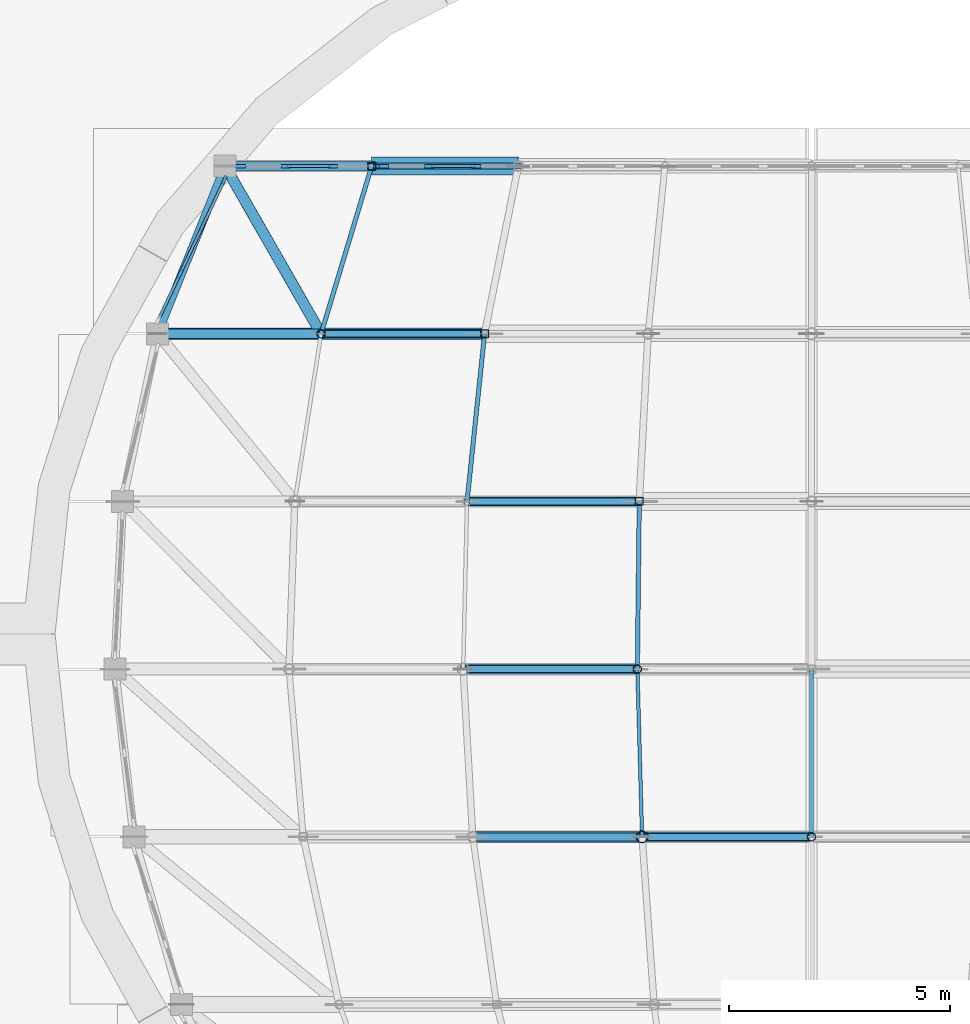
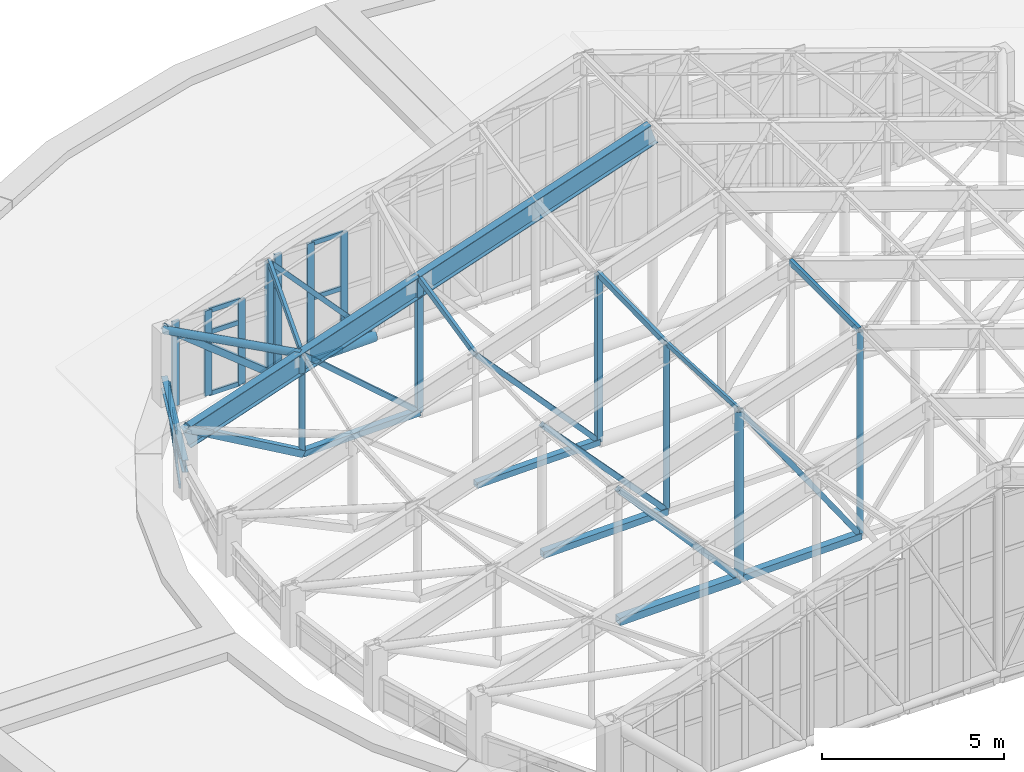
# One storey, part 14 of 105: 49 members, 2 beams, 3 elements without a shape of their own.
"""IFC4 building model written with IfcOpenShell, lengths in metres."""

from ifc_helpers import new_model, si_unit, direction, frame, origin, origin_2d, place, context, subcontext, project, spatial, rectangle, hollow_rectangle, hollow_circle, i_section, extrude, material, material_profile, profile_set, type_object, element, aggregate, save


model = new_model("IFC4")

# Units and contexts
model_context = context("Model", 3, precision=1e-05, world=origin(), true_north=direction((0.0, 1.0)))
body_context = subcontext(model_context, "Body", "Model", "MODEL_VIEW")
ifc_project = project(units=[si_unit("LENGTHUNIT", "METRE"), si_unit("AREAUNIT", "SQUARE_METRE"), si_unit("VOLUMEUNIT", "CUBIC_METRE"), si_unit("PLANEANGLEUNIT", "RADIAN"), si_unit("MASSUNIT", "GRAM", prefix="KILO")], contexts=[model_context])

# Site, building, storey
site_placement = place(None, origin())
site = spatial("IfcSite", under=ifc_project, at=site_placement, CompositionType="ELEMENT")
building_placement = place(site_placement, origin())
building = spatial("IfcBuilding", under=site, at=building_placement, Name="Corveleigh Park Community Centre", CompositionType="ELEMENT")
storey_placement = place(building_placement, frame((0.0, 0.0, 8.699951171875)))
storey = spatial("IfcBuildingStorey", under=building, at=storey_placement, Name="L02", CompositionType="ELEMENT", Elevation=8.699951171875)

# Beams
ifc_material_1 = material(Name="Steel S355", Category="steel")
ifc_material_profile_1 = material_profile(ifc_material_1, i_section(OverallWidth=0.1787109375, OverallDepth=0.409423828125, WebThickness=0.0087890625, FlangeThickness=0.014404296875, at=origin_2d()), Name="UKB 406x178x67", Category="steel")
ifc_profile_set_1 = profile_set([ifc_material_profile_1], Name="Steel S355")
beam_type_1 = type_object("IfcBeamType", Name="BM-STL-UKB406x67", PredefinedType="BEAM", material=ifc_profile_set_1)
beam_1_placement = place(storey_placement, frame((16.182861328125, 34.404541015625, 0.915283203125), z_axis=(0.373254520888, 0.927728981242, 0.0), x_axis=(-0.927728981242, 0.373254520888, 0.0)))
element("IfcBeam", 1, at=beam_1_placement, inside=storey, type_object=beam_type_1, Name="V1 West Eave Tie Beam", PredefinedType="BEAM", context=body_context, shape_type="SweptSolid", body=[
    extrude(i_section(OverallWidth=0.1787109375, OverallDepth=0.409423828125, WebThickness=0.0087890625, FlangeThickness=0.014404296875, at=origin_2d()), origin(), (0.0, 0.0, 1.0), 4.086181640625),
])
ifc_material_profile_2 = material_profile(ifc_material_1, i_section(OverallWidth=0.253662109375, OverallDepth=0.68359375, WebThickness=0.012451171875, FlangeThickness=0.01904296875, at=origin_2d()), Name="UKB 686x254x140", Category="steel")
ifc_profile_set_2 = profile_set([ifc_material_profile_2], Name="Steel S355")
beam_type_2 = type_object("IfcBeamType", Name="BM-STL-UKB686x140", PredefinedType="BEAM", material=ifc_profile_set_2)
beam_2_placement = place(storey_placement, frame((16.180908203125, 34.39990234375, 1.888427734375), z_axis=(0.946294957787, 0.0, 0.323304582194), x_axis=(0.0, 1.0, 0.0)))
element("IfcBeam", 2, at=beam_2_placement, inside=storey, type_object=beam_type_2, Name="V1 Portal Rafter W6", PredefinedType="BEAM", context=body_context, shape_type="SweptSolid", body=[
    extrude(i_section(OverallWidth=0.253662109375, OverallDepth=0.68359375, WebThickness=0.012451171875, FlangeThickness=0.01904296875, at=origin_2d()), origin(), (0.0, 0.0, 1.0), 15.66015625),
])

# Curtain wall, members
ifc_material_2 = material(Name="Anodised aluminium 6063-T6", Category="aluminium")
curtain_wall_type_1 = type_object("IfcCurtainWallType", Name="CW-SYS-V1-L00", PredefinedType="NOTDEFINED", material=ifc_material_2)
curtain_wall_1_placement = place(storey_placement, origin())
curtain_wall_1 = element("IfcCurtainWall", 3, at=curtain_wall_1_placement, inside=storey, type_object=curtain_wall_type_1, Name="Main Hall West Eave Clerestory 6", PredefinedType="NOTDEFINED")
ifc_material_profile_3 = material_profile(ifc_material_2, rectangle(XDim=0.070068359375, YDim=0.199951171875, at=origin_2d()), Name="ALU-M70x200", Category="aluminium")
ifc_profile_set_3 = profile_set([ifc_material_profile_3], Name="Anodised aluminium 6063-T6")
member_type_1 = type_object("IfcMemberType", Name="CWM-70x200", PredefinedType="MULLION", material=ifc_profile_set_3)
member_1_placement = place(storey_placement, frame((16.690673828125, 35.760009765625, 0.0), z_axis=(0.0, 0.0, 1.0), x_axis=(-0.904356392626, 0.426778063068, 0.0)))
member_1 = element("IfcMember", 4, at=member_1_placement, type_object=member_type_1, Name="CW01 mullion 2", PredefinedType="MULLION", context=body_context, shape_type="SweptSolid", body=[
    extrude(rectangle(XDim=0.070068359375, YDim=0.199951171875, at=origin_2d()), origin(), (0.0, 0.0, 1.0), 1.06005859375),
])
member_2_placement = place(storey_placement, frame((17.200439453125, 36.840087890625, 0.0), z_axis=(0.0, 0.0, 1.0), x_axis=(-0.904356392626, 0.426778063068, 0.0)))
member_2 = element("IfcMember", 5, at=member_2_placement, type_object=member_type_1, Name="CW01 mullion 3", PredefinedType="MULLION", context=body_context, shape_type="SweptSolid", body=[
    extrude(rectangle(XDim=0.070068359375, YDim=0.199951171875, at=origin_2d()), origin(), (0.0, 0.0, 1.0), 1.06005859375),
])
member_3_placement = place(storey_placement, frame((17.695068359375, 37.888427734375, 0.0), z_axis=(0.0, 0.0, 1.0), x_axis=(-0.904356392626, 0.426778063068, 0.0)))
member_3 = element("IfcMember", 6, at=member_3_placement, type_object=member_type_1, Name="CW01 mullion 4", PredefinedType="MULLION", context=body_context, shape_type="SweptSolid", body=[
    extrude(rectangle(XDim=0.070068359375, YDim=0.199951171875, at=origin_2d()), origin(), (0.0, 0.0, 1.0), 1.06005859375),
])

curtain_wall_type_2 = type_object("IfcCurtainWallType", Name="CW-SYS-V1-DRUM", PredefinedType="NOTDEFINED", material=ifc_material_2)
curtain_wall_2_placement = place(storey_placement, origin())
curtain_wall_2 = element("IfcCurtainWall", 7, at=curtain_wall_2_placement, inside=storey, type_object=curtain_wall_type_2, Name="Main Hall N Gable Clerestory 1", PredefinedType="NOTDEFINED")
ifc_material_profile_4 = material_profile(ifc_material_2, rectangle(XDim=0.074951171875, YDim=0.219970703125, at=origin_2d()), Name="ALU-M75x220", Category="aluminium")
ifc_profile_set_4 = profile_set([ifc_material_profile_4], Name="Anodised aluminium 6063-T6")
member_type_2 = type_object("IfcMemberType", Name="CWM-75x220", PredefinedType="MULLION", material=ifc_profile_set_4)
member_4_placement = place(storey_placement, frame((21.174560546875, 38.199951171875, 0.0), z_axis=(0.0, 0.0, 1.0), x_axis=(0.0, -1.0, 0.0)))
member_4 = element("IfcMember", 8, at=member_4_placement, type_object=member_type_2, Name="CW02 mullion 1", PredefinedType="MULLION", context=body_context, shape_type="SweptSolid", body=[
    extrude(rectangle(XDim=0.074951171875, YDim=0.219970703125, at=origin_2d()), origin(), (0.0, 0.0, 1.0), 2.85498046875),
])
member_5_placement = place(storey_placement, frame((20.14794921875, 38.199951171875, 0.0), z_axis=(0.0, 0.0, 1.0), x_axis=(0.0, -1.0, 0.0)))
member_5 = element("IfcMember", 9, at=member_5_placement, type_object=member_type_2, Name="CW02 mullion 2", PredefinedType="MULLION", context=body_context, shape_type="SweptSolid", body=[
    extrude(rectangle(XDim=0.074951171875, YDim=0.219970703125, at=origin_2d()), origin(), (0.0, 0.0, 1.0), 2.85498046875),
])
member_6_placement = place(storey_placement, frame((19.083984375, 38.199951171875, 0.0), z_axis=(0.0, 0.0, 1.0), x_axis=(0.0, -1.0, 0.0)))
member_6 = element("IfcMember", 10, at=member_6_placement, type_object=member_type_2, Name="CW02 mullion 3", PredefinedType="MULLION", context=body_context, shape_type="SweptSolid", body=[
    extrude(rectangle(XDim=0.074951171875, YDim=0.219970703125, at=origin_2d()), origin(), (0.0, 0.0, 1.0), 2.85498046875),
])
member_7_placement = place(storey_placement, frame((18.0576171875, 38.199951171875, 0.0), z_axis=(0.0, 0.0, 1.0), x_axis=(0.0, -1.0, 0.0)))
member_7 = element("IfcMember", 11, at=member_7_placement, type_object=member_type_2, Name="CW02 mullion 4", PredefinedType="MULLION", context=body_context, shape_type="SweptSolid", body=[
    extrude(rectangle(XDim=0.074951171875, YDim=0.219970703125, at=origin_2d()), origin(), (0.0, 0.0, 1.0), 2.85498046875),
])

curtain_wall_3_placement = place(storey_placement, origin())
curtain_wall_3 = element("IfcCurtainWall", 12, at=curtain_wall_3_placement, inside=storey, type_object=curtain_wall_type_2, Name="Main Hall N Gable Clerestory 2", PredefinedType="NOTDEFINED")
member_8_placement = place(storey_placement, frame((23.40087890625, 38.199951171875, 0.0), z_axis=(0.0, 0.0, 1.0), x_axis=(0.0, -1.0, 0.0)))
member_8 = element("IfcMember", 13, at=member_8_placement, type_object=member_type_2, Name="CW02 mullion 2", PredefinedType="MULLION", context=body_context, shape_type="SweptSolid", body=[
    extrude(rectangle(XDim=0.074951171875, YDim=0.219970703125, at=origin_2d()), origin(), (0.0, 0.0, 1.0), 3.967041015625),
])
member_9_placement = place(storey_placement, frame((22.3369140625, 38.199951171875, 0.0), z_axis=(0.0, 0.0, 1.0), x_axis=(0.0, -1.0, 0.0)))
member_9 = element("IfcMember", 14, at=member_9_placement, type_object=member_type_2, Name="CW02 mullion 3", PredefinedType="MULLION", context=body_context, shape_type="SweptSolid", body=[
    extrude(rectangle(XDim=0.074951171875, YDim=0.219970703125, at=origin_2d()), origin(), (0.0, 0.0, 1.0), 3.967041015625),
])
member_10_placement = place(storey_placement, frame((21.310546875, 38.199951171875, 0.0), z_axis=(0.0, 0.0, 1.0), x_axis=(0.0, -1.0, 0.0)))
member_10 = element("IfcMember", 15, at=member_10_placement, type_object=member_type_2, Name="CW02 mullion 4", PredefinedType="MULLION", context=body_context, shape_type="SweptSolid", body=[
    extrude(rectangle(XDim=0.074951171875, YDim=0.219970703125, at=origin_2d()), origin(), (0.0, 0.0, 1.0), 3.967041015625),
])

# Member
ifc_material_profile_5 = material_profile(ifc_material_2, rectangle(XDim=0.06494140625, YDim=0.139892578125, at=origin_2d()), Name="ALU-T65x140", Category="aluminium")
ifc_profile_set_5 = profile_set([ifc_material_profile_5], Name="Anodised aluminium 6063-T6")
member_type_3 = type_object("IfcMemberType", Name="CWT-65x140", PredefinedType="USERDEFINED", material=ifc_profile_set_5)
member_11_placement = place(storey_placement, frame((16.2109375, 34.743408203125, 0.032470703125), z_axis=(0.426833179123, 0.904330380558, 0.0), x_axis=(-0.904330380558, 0.426833179123, 0.0)))
member_11 = element("IfcMember", 16, at=member_11_placement, type_object=member_type_3, Name="CW01 transom 1.1", ObjectType="TRANSOM", PredefinedType="USERDEFINED", context=body_context, shape_type="SweptSolid", body=[
    extrude(rectangle(XDim=0.06494140625, YDim=0.139892578125, at=origin_2d()), origin(), (0.0, 0.0, 1.0), 1.089111328125),
])

member_12_placement = place(storey_placement, frame((16.2109375, 34.743408203125, 1.027587890625), z_axis=(0.426833179123, 0.904330380558, 0.0), x_axis=(-0.904330380558, 0.426833179123, 0.0)))
member_12 = element("IfcMember", 17, at=member_12_placement, type_object=member_type_3, Name="CW01 transom 1.2", ObjectType="TRANSOM", PredefinedType="USERDEFINED", context=body_context, shape_type="SweptSolid", body=[
    extrude(rectangle(XDim=0.06494140625, YDim=0.139892578125, at=origin_2d()), origin(), (0.0, 0.0, 1.0), 1.089111328125),
])

member_13_placement = place(storey_placement, frame((16.70556640625, 35.791748046875, 0.032470703125), z_axis=(0.426769510613, 0.904360428596, 0.0), x_axis=(-0.904360428596, 0.426769510613, 0.0)))
member_13 = element("IfcMember", 18, at=member_13_placement, type_object=member_type_3, Name="CW01 transom 2.1", ObjectType="TRANSOM", PredefinedType="USERDEFINED", context=body_context, shape_type="SweptSolid", body=[
    extrude(rectangle(XDim=0.06494140625, YDim=0.139892578125, at=origin_2d()), origin(), (0.0, 0.0, 1.0), 1.1240234375),
])

member_14_placement = place(storey_placement, frame((16.70556640625, 35.791748046875, 1.027587890625), z_axis=(0.426769510613, 0.904360428596, 0.0), x_axis=(-0.904360428596, 0.426769510613, 0.0)))
member_14 = element("IfcMember", 19, at=member_14_placement, type_object=member_type_3, Name="CW01 transom 2.2", ObjectType="TRANSOM", PredefinedType="USERDEFINED", context=body_context, shape_type="SweptSolid", body=[
    extrude(rectangle(XDim=0.06494140625, YDim=0.139892578125, at=origin_2d()), origin(), (0.0, 0.0, 1.0), 1.1240234375),
])

member_15_placement = place(storey_placement, frame((17.21533203125, 36.87158203125, 0.032470703125), z_axis=(0.426746662754, 0.904371210195, 0.0), x_axis=(-0.904371210195, 0.426746662754, 0.0)))
member_15 = element("IfcMember", 20, at=member_15_placement, type_object=member_type_3, Name="CW01 transom 3.1", ObjectType="TRANSOM", PredefinedType="USERDEFINED", context=body_context, shape_type="SweptSolid", body=[
    extrude(rectangle(XDim=0.06494140625, YDim=0.139892578125, at=origin_2d()), origin(), (0.0, 0.0, 1.0), 1.08935546875),
])

member_16_placement = place(storey_placement, frame((17.21533203125, 36.87158203125, 1.027587890625), z_axis=(0.426746662754, 0.904371210195, 0.0), x_axis=(-0.904371210195, 0.426746662754, 0.0)))
member_16 = element("IfcMember", 21, at=member_16_placement, type_object=member_type_3, Name="CW01 transom 3.2", ObjectType="TRANSOM", PredefinedType="USERDEFINED", context=body_context, shape_type="SweptSolid", body=[
    extrude(rectangle(XDim=0.06494140625, YDim=0.139892578125, at=origin_2d()), origin(), (0.0, 0.0, 1.0), 1.08935546875),
])

aggregate(curtain_wall_1, [member_1, member_2, member_3, member_11, member_12, member_13, member_14, member_15, member_16])

ifc_material_profile_6 = material_profile(ifc_material_2, rectangle(XDim=0.070068359375, YDim=0.155029296875, at=origin_2d()), Name="ALU-T70x155", Category="aluminium")
ifc_profile_set_6 = profile_set([ifc_material_profile_6], Name="Anodised aluminium 6063-T6")
member_type_4 = type_object("IfcMemberType", Name="CWT-70x155", PredefinedType="USERDEFINED", material=ifc_profile_set_6)
member_17_placement = place(storey_placement, frame((20.110595703125, 38.199951171875, 0.03515625), z_axis=(-1.0, 0.0, 0.0), x_axis=(0.0, -1.0, 0.0)))
member_17 = element("IfcMember", 22, at=member_17_placement, type_object=member_type_4, Name="CW02 transom 2.1", ObjectType="TRANSOM", PredefinedType="USERDEFINED", context=body_context, shape_type="SweptSolid", body=[
    extrude(rectangle(XDim=0.070068359375, YDim=0.155029296875, at=origin_2d()), origin(), (0.0, 0.0, 1.0), 0.989013671875),
])

member_18_placement = place(storey_placement, frame((20.110595703125, 38.199951171875, 2.10009765625), z_axis=(-1.0, 0.0, 0.0), x_axis=(0.0, -1.0, 0.0)))
member_18 = element("IfcMember", 23, at=member_18_placement, type_object=member_type_4, Name="CW02 transom 2.2", ObjectType="TRANSOM", PredefinedType="USERDEFINED", context=body_context, shape_type="SweptSolid", body=[
    extrude(rectangle(XDim=0.070068359375, YDim=0.155029296875, at=origin_2d()), origin(), (0.0, 0.0, 1.0), 0.989013671875),
])

member_19_placement = place(storey_placement, frame((20.110595703125, 38.199951171875, 2.820068359375), z_axis=(-1.0, 0.0, 0.0), x_axis=(0.0, -1.0, 0.0)))
member_19 = element("IfcMember", 24, at=member_19_placement, type_object=member_type_4, Name="CW02 transom 2.3", ObjectType="TRANSOM", PredefinedType="USERDEFINED", context=body_context, shape_type="SweptSolid", body=[
    extrude(rectangle(XDim=0.070068359375, YDim=0.155029296875, at=origin_2d()), origin(), (0.0, 0.0, 1.0), 0.989013671875),
])

aggregate(curtain_wall_2, [member_4, member_5, member_6, member_7, member_17, member_18, member_19])

member_20_placement = place(storey_placement, frame((23.363525390625, 38.199951171875, 0.03515625), z_axis=(-1.0, 0.0, 0.0), x_axis=(0.0, -1.0, 0.0)))
member_20 = element("IfcMember", 25, at=member_20_placement, type_object=member_type_4, Name="CW02 transom 2.1", ObjectType="TRANSOM", PredefinedType="USERDEFINED", context=body_context, shape_type="SweptSolid", body=[
    extrude(rectangle(XDim=0.070068359375, YDim=0.155029296875, at=origin_2d()), origin(), (0.0, 0.0, 1.0), 0.989013671875),
])

member_21_placement = place(storey_placement, frame((23.363525390625, 38.199951171875, 2.10009765625), z_axis=(-1.0, 0.0, 0.0), x_axis=(0.0, -1.0, 0.0)))
member_21 = element("IfcMember", 26, at=member_21_placement, type_object=member_type_4, Name="CW02 transom 2.2", ObjectType="TRANSOM", PredefinedType="USERDEFINED", context=body_context, shape_type="SweptSolid", body=[
    extrude(rectangle(XDim=0.070068359375, YDim=0.155029296875, at=origin_2d()), origin(), (0.0, 0.0, 1.0), 0.989013671875),
])

member_22_placement = place(storey_placement, frame((23.363525390625, 38.199951171875, 3.93212890625), z_axis=(-1.0, 0.0, 0.0), x_axis=(0.0, -1.0, 0.0)))
member_22 = element("IfcMember", 27, at=member_22_placement, type_object=member_type_4, Name="CW02 transom 2.3", ObjectType="TRANSOM", PredefinedType="USERDEFINED", context=body_context, shape_type="SweptSolid", body=[
    extrude(rectangle(XDim=0.070068359375, YDim=0.155029296875, at=origin_2d()), origin(), (0.0, 0.0, 1.0), 0.989013671875),
])

aggregate(curtain_wall_3, [member_8, member_9, member_10, member_20, member_21, member_22])

# Members
ifc_material_profile_7 = material_profile(ifc_material_1, hollow_rectangle(XDim=0.139892578125, YDim=0.139892578125, WallThickness=0.008056640625, at=origin_2d()), Name="SHS 140x140x8.0", Category="steel")
ifc_profile_set_7 = profile_set([ifc_material_profile_7], Name="Steel S355")
member_type_5 = type_object("IfcMemberType", Name="MEM-BRC-SHS140", PredefinedType="BRACE", material=ifc_profile_set_7)
member_23_placement = place(storey_placement, frame((21.031982421875, 38.199951171875, 3.79443359375), z_axis=(0.676302675841, 0.0, -0.736623846105), x_axis=(0.0, 1.0, 0.0)))
element("IfcMember", 28, at=member_23_placement, inside=storey, type_object=member_type_5, Name="V1 Truss T7 Web Diagonal", PredefinedType="BRACE", context=body_context, shape_type="SweptSolid", body=[
    extrude(hollow_rectangle(XDim=0.139892578125, YDim=0.139892578125, WallThickness=0.008056640625, at=origin_2d()), origin(), (0.0, 0.0, 1.0), 4.91357421875),
])
ifc_material_profile_8 = material_profile(ifc_material_1, hollow_rectangle(XDim=0.14990234375, YDim=0.14990234375, WallThickness=0.008056640625, at=origin_2d()), Name="SHS 150x150x8.0", Category="steel")
ifc_profile_set_8 = profile_set([ifc_material_profile_8], Name="Steel S355")
member_type_6 = type_object("IfcMemberType", Name="MEM-BRC-SHS150", PredefinedType="BRACE", material=ifc_profile_set_8)
member_24_placement = place(storey_placement, frame((23.193115234375, 30.60009765625, 4.53271484375), z_axis=(0.674594492589, 0.0, -0.738188506121), x_axis=(0.0, 1.0, 0.0)))
element("IfcMember", 29, at=member_24_placement, inside=storey, type_object=member_type_6, Name="V1 Truss T5 Web Diagonal", PredefinedType="BRACE", context=body_context, shape_type="SweptSolid", body=[
    extrude(hollow_rectangle(XDim=0.14990234375, YDim=0.14990234375, WallThickness=0.008056640625, at=origin_2d()), origin(), (0.0, 0.0, 1.0), 5.785400390625),
])
member_25_placement = place(storey_placement, frame((19.885986328125, 34.39990234375, 3.40283203125), z_axis=(0.754003007595, 0.0, -0.656870964906), x_axis=(0.0, 1.0, 0.0)))
element("IfcMember", 30, at=member_25_placement, inside=storey, type_object=member_type_6, Name="V1 Truss T6 Web Diagonal", PredefinedType="BRACE", context=body_context, shape_type="SweptSolid", body=[
    extrude(hollow_rectangle(XDim=0.14990234375, YDim=0.14990234375, WallThickness=0.008056640625, at=origin_2d()), origin(), (0.0, 0.0, 1.0), 4.913818359375),
])
ifc_material_profile_9 = material_profile(ifc_material_1, hollow_rectangle(XDim=0.159912109375, YDim=0.159912109375, WallThickness=0.010009765625, at=origin_2d()), Name="SHS 160x160x10.0", Category="steel")
ifc_profile_set_9 = profile_set([ifc_material_profile_9], Name="Steel S355")
member_type_7 = type_object("IfcMemberType", Name="MEM-BRC-SHS160", PredefinedType="BRACE", material=ifc_profile_set_9)
member_26_placement = place(storey_placement, frame((27.159912109375, 23.0, 5.887939453125), z_axis=(0.569831489992, 0.0, -0.821761567009), x_axis=(0.0, 1.0, 0.0)))
element("IfcMember", 31, at=member_26_placement, inside=storey, type_object=member_type_7, Name="V1 Truss T3 Web Diagonal", PredefinedType="BRACE", context=body_context, shape_type="SweptSolid", body=[
    extrude(hollow_rectangle(XDim=0.159912109375, YDim=0.159912109375, WallThickness=0.010009765625, at=origin_2d()), origin(), (0.0, 0.0, 1.0), 6.739013671875),
])
member_27_placement = place(storey_placement, frame((23.10595703125, 26.800048828125, 4.5029296875), z_axis=(0.681283076622, 0.0, -0.732020060865), x_axis=(0.0, 1.0, 0.0)))
element("IfcMember", 32, at=member_27_placement, inside=storey, type_object=member_type_7, Name="V1 Truss T4 Web Diagonal", PredefinedType="BRACE", context=body_context, shape_type="SweptSolid", body=[
    extrude(hollow_rectangle(XDim=0.159912109375, YDim=0.159912109375, WallThickness=0.010009765625, at=origin_2d()), origin(), (0.0, 0.0, 1.0), 5.79345703125),
])
ifc_material_profile_10 = material_profile(ifc_material_1, hollow_rectangle(XDim=0.179931640625, YDim=0.179931640625, WallThickness=0.010009765625, at=origin_2d()), Name="SHS 180x180x10.0", Category="steel")
ifc_profile_set_10 = profile_set([ifc_material_profile_10], Name="Steel S355")
member_type_8 = type_object("IfcMemberType", Name="MEM-BRC-SHS180", PredefinedType="BRACE", material=ifc_profile_set_10)
member_28_placement = place(storey_placement, frame((23.321044921875, 23.0, 4.576416015625), z_axis=(0.66473111321, 0.0, -0.747082690959), x_axis=(0.0, 1.0, 0.0)))
element("IfcMember", 33, at=member_28_placement, inside=storey, type_object=member_type_8, Name="V1 Truss T3 Web Diagonal", PredefinedType="BRACE", context=body_context, shape_type="SweptSolid", body=[
    extrude(hollow_rectangle(XDim=0.179931640625, YDim=0.179931640625, WallThickness=0.010009765625, at=origin_2d()), origin(), (0.0, 0.0, 1.0), 5.775146484375),
])
ifc_material_profile_11 = material_profile(ifc_material_1, hollow_circle(Radius=0.203125, WallThickness=0.02001953125, at=origin_2d()), Name="CHS 406.4x20.0", Category="steel")
ifc_profile_set_11 = profile_set([ifc_material_profile_11], Name="Steel S355")
member_type_9 = type_object("IfcMemberType", Name="MEM-CHD-CHS406", PredefinedType="CHORD", material=ifc_profile_set_11)
member_29_placement = place(storey_placement, frame((21.031982421875, 38.199951171875, 0.087158203125), z_axis=(0.999650403441, 0.0, 0.026439948956), x_axis=(0.0, 1.0, 0.0)))
element("IfcMember", 34, at=member_29_placement, inside=storey, type_object=member_type_9, Name="V1 Truss T7 Bottom Chord", PredefinedType="CHORD", context=body_context, shape_type="SweptSolid", body=[
    extrude(hollow_circle(Radius=0.203125, WallThickness=0.02001953125, at=origin_2d()), origin(), (0.0, 0.0, 1.0), 3.32421875),
])
ifc_material_profile_12 = material_profile(ifc_material_1, hollow_rectangle(XDim=0.199951171875, YDim=0.199951171875, WallThickness=0.010009765625, at=origin_2d()), Name="SHS 200x200x10.0", Category="steel")
ifc_profile_set_12 = profile_set([ifc_material_profile_12], Name="Steel S355")
member_type_10 = type_object("IfcMemberType", Name="MEM-CHD-SHS200", PredefinedType="CHORD", material=ifc_profile_set_12)
member_30_placement = place(storey_placement, frame((23.193115234375, 30.60009765625, 0.175048828125), z_axis=(0.999752127193, 0.0, 0.0222639658), x_axis=(0.0, 1.0, 0.0)))
element("IfcMember", 35, at=member_30_placement, inside=storey, type_object=member_type_10, Name="V1 Truss T5 Bottom Chord", PredefinedType="CHORD", context=body_context, shape_type="SweptSolid", body=[
    extrude(hollow_rectangle(XDim=0.199951171875, YDim=0.199951171875, WallThickness=0.010009765625, at=origin_2d()), origin(), (0.0, 0.0, 1.0), 3.90380859375),
])
member_31_placement = place(storey_placement, frame((19.885986328125, 34.39990234375, 0.087158203125), z_axis=(0.999718759975, 0.0, 0.023714994306), x_axis=(0.0, 1.0, 0.0)))
element("IfcMember", 36, at=member_31_placement, inside=storey, type_object=member_type_10, Name="V1 Truss T6 Bottom Chord", PredefinedType="CHORD", context=body_context, shape_type="SweptSolid", body=[
    extrude(hollow_rectangle(XDim=0.199951171875, YDim=0.199951171875, WallThickness=0.010009765625, at=origin_2d()), origin(), (0.0, 0.0, 1.0), 3.7060546875),
])
member_32_placement = place(storey_placement, frame((17.7099609375, 38.199951171875, 2.744140625), z_axis=(0.780941594802, 0.0, -0.624604054989), x_axis=(0.0, 1.0, 0.0)))
element("IfcMember", 37, at=member_32_placement, inside=storey, type_object=member_type_10, Name="V1 Truss T7 Bottom Chord", PredefinedType="CHORD", context=body_context, shape_type="SweptSolid", body=[
    extrude(hollow_rectangle(XDim=0.199951171875, YDim=0.199951171875, WallThickness=0.010009765625, at=origin_2d()), origin(), (0.0, 0.0, 1.0), 4.25390625),
])
ifc_material_profile_13 = material_profile(ifc_material_1, hollow_rectangle(XDim=0.219970703125, YDim=0.219970703125, WallThickness=0.012451171875, at=origin_2d()), Name="SHS 220x220x12.5", Category="steel")
ifc_profile_set_13 = profile_set([ifc_material_profile_13], Name="Steel S355")
member_type_11 = type_object("IfcMemberType", Name="MEM-CHD-SHS220", PredefinedType="CHORD", material=ifc_profile_set_13)
member_33_placement = place(storey_placement, frame((27.159912109375, 23.0, 0.261962890625), z_axis=(0.999736724378, 0.0, 0.022945194068), x_axis=(0.0, 1.0, 0.0)))
element("IfcMember", 38, at=member_33_placement, inside=storey, type_object=member_type_11, Name="V1 Truss T3 Bottom Chord", PredefinedType="CHORD", context=body_context, shape_type="SweptSolid", body=[
    extrude(hollow_rectangle(XDim=0.219970703125, YDim=0.219970703125, WallThickness=0.012451171875, at=origin_2d()), origin(), (0.0, 0.0, 1.0), 3.841064453125),
])
member_34_placement = place(storey_placement, frame((23.10595703125, 26.800048828125, 0.175048828125), z_axis=(0.99975764431, 0.0, 0.022014827821), x_axis=(0.0, 1.0, 0.0)))
element("IfcMember", 39, at=member_34_placement, inside=storey, type_object=member_type_11, Name="V1 Truss T4 Bottom Chord", PredefinedType="CHORD", context=body_context, shape_type="SweptSolid", body=[
    extrude(hollow_rectangle(XDim=0.219970703125, YDim=0.219970703125, WallThickness=0.012451171875, at=origin_2d()), origin(), (0.0, 0.0, 1.0), 3.947998046875),
])
member_35_placement = place(storey_placement, frame((16.180908203125, 34.39990234375, 2.22216796875), z_axis=(0.866442104805, 0.0, -0.499277557098), x_axis=(0.0, 1.0, 0.0)))
element("IfcMember", 40, at=member_35_placement, inside=storey, type_object=member_type_11, Name="V1 Truss T6 Bottom Chord", PredefinedType="CHORD", context=body_context, shape_type="SweptSolid", body=[
    extrude(hollow_rectangle(XDim=0.219970703125, YDim=0.219970703125, WallThickness=0.012451171875, at=origin_2d()), origin(), (0.0, 0.0, 1.0), 4.276123046875),
])
ifc_material_profile_14 = material_profile(ifc_material_1, hollow_rectangle(XDim=0.25, YDim=0.25, WallThickness=0.012451171875, at=origin_2d()), Name="SHS 250x250x12.5", Category="steel")
ifc_profile_set_14 = profile_set([ifc_material_profile_14], Name="Steel S355")
member_type_12 = type_object("IfcMemberType", Name="MEM-CHD-SHS250", PredefinedType="CHORD", material=ifc_profile_set_14)
member_36_placement = place(storey_placement, frame((23.321044921875, 23.0, 0.175048828125), z_axis=(0.99974380125, 0.0, 0.022634748998), x_axis=(0.0, 1.0, 0.0)))
element("IfcMember", 41, at=member_36_placement, inside=storey, type_object=member_type_12, Name="V1 Truss T3 Bottom Chord", PredefinedType="CHORD", context=body_context, shape_type="SweptSolid", body=[
    extrude(hollow_rectangle(XDim=0.25, YDim=0.25, WallThickness=0.012451171875, at=origin_2d()), origin(), (0.0, 0.0, 1.0), 3.83984375),
])
ifc_material_profile_15 = material_profile(ifc_material_1, hollow_rectangle(XDim=0.080078125, YDim=0.159912109375, WallThickness=0.008056640625, at=origin_2d()), Name="RHS 160x80x8.0", Category="steel")
ifc_profile_set_15 = profile_set([ifc_material_profile_15], Name="Steel S355")
member_type_13 = type_object("IfcMemberType", Name="MEM-PRL-RHS160", PredefinedType="PURLIN", material=ifc_profile_set_15)
member_37_placement = place(storey_placement, frame((27.159912109375, 23.0, 5.9111328125), z_axis=(-0.028127617833, 0.999557925947, -0.009632745833), x_axis=(-0.99960430356, -0.028128922901, 0.0)))
element("IfcMember", 42, at=member_37_placement, inside=storey, type_object=member_type_13, Name="V1 Pitched Roof Purlin", PredefinedType="PURLIN", context=body_context, shape_type="SweptSolid", body=[
    extrude(hollow_rectangle(XDim=0.080078125, YDim=0.159912109375, WallThickness=0.008056640625, at=origin_2d()), origin(), (0.0, 0.0, 1.0), 3.8017578125),
])
ifc_material_profile_16 = material_profile(ifc_material_1, hollow_rectangle(XDim=0.10009765625, YDim=0.199951171875, WallThickness=0.008056640625, at=origin_2d()), Name="RHS 200x100x8.0", Category="steel")
ifc_profile_set_16 = profile_set([ifc_material_profile_16], Name="Steel S355")
member_type_14 = type_object("IfcMemberType", Name="MEM-PRL-RHS200", PredefinedType="PURLIN", material=ifc_profile_set_16)
member_38_placement = place(storey_placement, frame((31.0, 23.0, 7.203125), z_axis=(0.0, 1.0, 0.0), x_axis=(-1.0, 0.0, 0.0)))
element("IfcMember", 43, at=member_38_placement, inside=storey, type_object=member_type_14, Name="V1 Pitched Roof Purlin", PredefinedType="PURLIN", context=body_context, shape_type="SweptSolid", body=[
    extrude(hollow_rectangle(XDim=0.10009765625, YDim=0.199951171875, WallThickness=0.008056640625, at=origin_2d()), origin(), (0.0, 0.0, 1.0), 3.800048828125),
])
member_39_placement = place(storey_placement, frame((27.052978515625, 26.800048828125, 5.8544921875), z_axis=(0.011306613699, 0.999928649007, 0.003854527397), x_axis=(-0.999936077251, 0.011306697693, 0.0)))
element("IfcMember", 44, at=member_39_placement, inside=storey, type_object=member_type_14, Name="V1 Pitched Roof Purlin", PredefinedType="PURLIN", context=body_context, shape_type="SweptSolid", body=[
    extrude(hollow_rectangle(XDim=0.10009765625, YDim=0.199951171875, WallThickness=0.008056640625, at=origin_2d()), origin(), (0.0, 0.0, 1.0), 3.80029296875),
])
member_40_placement = place(storey_placement, frame((23.193115234375, 30.60009765625, 4.53564453125), z_axis=(0.104093287943, 0.993931247577, 0.035570528457), x_axis=(-0.994560636862, 0.104159203167, 0.0)))
element("IfcMember", 45, at=member_40_placement, inside=storey, type_object=member_type_14, Name="V1 Pitched Roof Purlin", PredefinedType="PURLIN", context=body_context, shape_type="SweptSolid", body=[
    extrude(hollow_rectangle(XDim=0.10009765625, YDim=0.199951171875, WallThickness=0.008056640625, at=origin_2d()), origin(), (0.0, 0.0, 1.0), 3.822998046875),
])
member_41_placement = place(storey_placement, frame((19.885986328125, 34.39990234375, 3.40576171875), z_axis=(0.287335038386, 0.952784378458, 0.098186067655), x_axis=(-0.957410514925, 0.28873016107, 0.0)))
element("IfcMember", 46, at=member_41_placement, inside=storey, type_object=member_type_14, Name="V1 Pitched Roof Purlin", PredefinedType="PURLIN", context=body_context, shape_type="SweptSolid", body=[
    extrude(hollow_rectangle(XDim=0.10009765625, YDim=0.199951171875, WallThickness=0.008056640625, at=origin_2d()), origin(), (0.0, 0.0, 1.0), 3.98828125),
])
ifc_material_profile_17 = material_profile(ifc_material_1, hollow_circle(Radius=0.096923828125, WallThickness=0.010009765625, at=origin_2d()), Name="CHS 193.7x10.0", Category="steel")
ifc_profile_set_17 = profile_set([ifc_material_profile_17], Name="Steel S355")
member_type_15 = type_object("IfcMemberType", Name="MEM-STR-CHS194I", PredefinedType="STRUT", material=ifc_profile_set_17)
member_42_placement = place(storey_placement, frame((31.0, 23.0, 0.35009765625), z_axis=(0.0, 0.0, 1.0), x_axis=(1.0, 0.0, 0.0)))
element("IfcMember", 47, at=member_42_placement, inside=storey, type_object=member_type_15, Name="V1 Truss T3 Web Post", PredefinedType="STRUT", context=body_context, shape_type="SweptSolid", body=[
    extrude(hollow_circle(Radius=0.096923828125, WallThickness=0.010009765625, at=origin_2d()), origin(), (0.0, 0.0, 1.0), 6.849853515625),
])
member_43_placement = place(storey_placement, frame((27.052978515625, 26.800048828125, 0.261962890625), z_axis=(0.0, 0.0, 1.0), x_axis=(1.0, 0.0, 0.0)))
element("IfcMember", 48, at=member_43_placement, inside=storey, type_object=member_type_15, Name="V1 Truss T4 Web Post", PredefinedType="STRUT", context=body_context, shape_type="SweptSolid", body=[
    extrude(hollow_circle(Radius=0.096923828125, WallThickness=0.010009765625, at=origin_2d()), origin(), (0.0, 0.0, 1.0), 5.589599609375),
])
member_44_placement = place(storey_placement, frame((19.885986328125, 34.39990234375, 0.087158203125), z_axis=(0.0, 0.0, 1.0), x_axis=(1.0, 0.0, 0.0)))
element("IfcMember", 49, at=member_44_placement, inside=storey, type_object=member_type_15, Name="V1 Truss T6 Web Post", PredefinedType="STRUT", context=body_context, shape_type="SweptSolid", body=[
    extrude(hollow_circle(Radius=0.096923828125, WallThickness=0.010009765625, at=origin_2d()), origin(), (0.0, 0.0, 1.0), 3.315673828125),
])
ifc_material_profile_18 = material_profile(ifc_material_1, hollow_circle(Radius=0.122314453125, WallThickness=0.012451171875, at=origin_2d()), Name="CHS 244.5x12.5", Category="steel")
ifc_profile_set_18 = profile_set([ifc_material_profile_18], Name="Steel S355")
member_type_16 = type_object("IfcMemberType", Name="MEM-STR-CHS245", PredefinedType="STRUT", material=ifc_profile_set_18)
member_45_placement = place(storey_placement, frame((19.885986328125, 34.39990234375, 3.40283203125), z_axis=(-0.489910993648, 0.855544105927, -0.167426106435), x_axis=(-0.867793331998, -0.49692527903, 0.0)))
element("IfcMember", 50, at=member_45_placement, inside=storey, type_object=member_type_16, Name="V1 Roof Wind Strut", PredefinedType="STRUT", context=body_context, shape_type="SweptSolid", body=[
    extrude(hollow_circle(Radius=0.122314453125, WallThickness=0.012451171875, at=origin_2d()), origin(), (0.0, 0.0, 1.0), 4.441650390625),
])
ifc_material_profile_19 = material_profile(ifc_material_1, hollow_circle(Radius=0.136474609375, WallThickness=0.012451171875, at=origin_2d()), Name="CHS 273.0x12.5", Category="steel")
ifc_profile_set_19 = profile_set([ifc_material_profile_19], Name="Steel S355")
member_type_17 = type_object("IfcMemberType", Name="MEM-STR-CHS273E", PredefinedType="STRUT", material=ifc_profile_set_19)
member_46_placement = place(storey_placement, frame((27.159912109375, 23.0, 0.261962890625), z_axis=(0.0, 0.0, 1.0), x_axis=(1.0, 0.0, 0.0)))
element("IfcMember", 51, at=member_46_placement, inside=storey, type_object=member_type_17, Name="V1 Truss T3 Web Post", PredefinedType="STRUT", context=body_context, shape_type="SweptSolid", body=[
    extrude(hollow_circle(Radius=0.136474609375, WallThickness=0.012451171875, at=origin_2d()), origin(), (0.0, 0.0, 1.0), 5.6259765625),
])
ifc_material_profile_20 = material_profile(ifc_material_1, hollow_rectangle(XDim=0.179931640625, YDim=0.179931640625, WallThickness=0.010009765625, at=origin_2d()), Name="SHS 180x180x10.0", Category="steel")
ifc_profile_set_20 = profile_set([ifc_material_profile_20], Name="Steel S355")
member_type_18 = type_object("IfcMemberType", Name="MEM-STR-SHS180I", PredefinedType="STRUT", material=ifc_profile_set_20)
member_47_placement = place(storey_placement, frame((27.095947265625, 30.60009765625, 0.261962890625), z_axis=(0.0, 0.0, 1.0), x_axis=(1.0, 0.0, 0.0)))
element("IfcMember", 52, at=member_47_placement, inside=storey, type_object=member_type_18, Name="V1 Truss T5 Web Post", PredefinedType="STRUT", context=body_context, shape_type="SweptSolid", body=[
    extrude(hollow_rectangle(XDim=0.179931640625, YDim=0.179931640625, WallThickness=0.010009765625, at=origin_2d()), origin(), (0.0, 0.0, 1.0), 5.604248046875),
])
member_48_placement = place(storey_placement, frame((23.591064453125, 34.39990234375, 0.175048828125), z_axis=(0.0, 0.0, 1.0), x_axis=(1.0, 0.0, 0.0)))
element("IfcMember", 53, at=member_48_placement, inside=storey, type_object=member_type_18, Name="V1 Truss T6 Web Post", PredefinedType="STRUT", context=body_context, shape_type="SweptSolid", body=[
    extrude(hollow_rectangle(XDim=0.179931640625, YDim=0.179931640625, WallThickness=0.010009765625, at=origin_2d()), origin(), (0.0, 0.0, 1.0), 4.49365234375),
])
member_49_placement = place(storey_placement, frame((21.031982421875, 38.199951171875, 0.087158203125), z_axis=(0.0, 0.0, 1.0), x_axis=(1.0, 0.0, 0.0)))
element("IfcMember", 54, at=member_49_placement, inside=storey, type_object=member_type_18, Name="V1 Truss T7 Web Post", PredefinedType="STRUT", context=body_context, shape_type="SweptSolid", body=[
    extrude(hollow_rectangle(XDim=0.179931640625, YDim=0.179931640625, WallThickness=0.010009765625, at=origin_2d()), origin(), (0.0, 0.0, 1.0), 3.707275390625),
])

save(model, "model.ifc")
